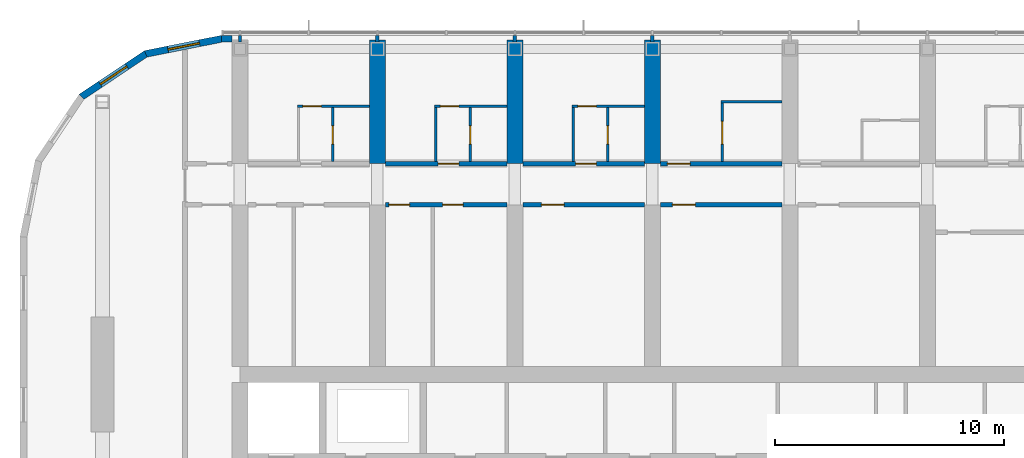
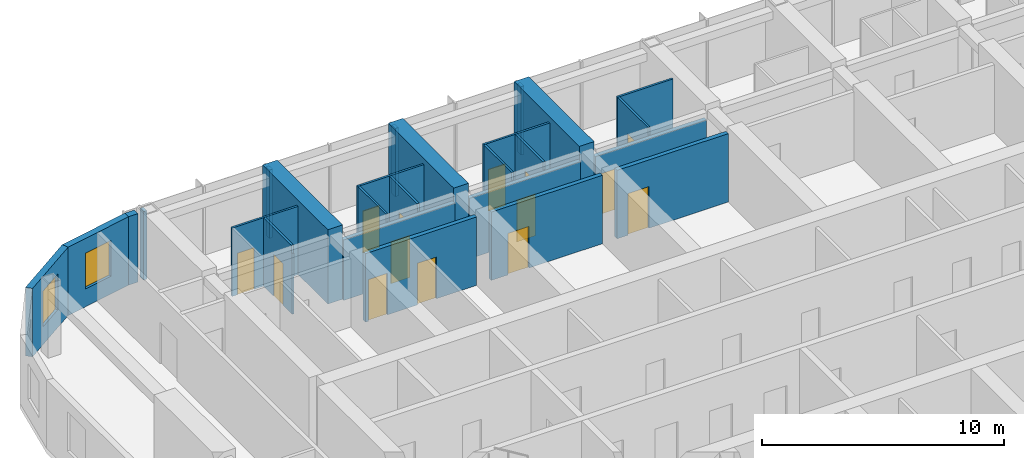
# One storey, part 16 of 23: 26 walls, 14 doors, 2 windows, 16 openings.
"""IFC4 building model written with IfcOpenShell, lengths in metres."""

from ifc_helpers import new_model, si_unit, direction, frame, frame_2d, origin, place, context, subcontext, project, spatial, polyline, rectangle, outline, extrude, material, layer, layer_set, type_object, element, fill, save


model = new_model("IFC4")

# Units and contexts
model_context = context("Model", 3, precision=1e-05, world=origin(), true_north=direction((0.0, 1.0)))
body_context = subcontext(model_context, "Body", "Model", "MODEL_VIEW")
ifc_project = project(units=[si_unit("LENGTHUNIT", "METRE"), si_unit("AREAUNIT", "SQUARE_METRE"), si_unit("VOLUMEUNIT", "CUBIC_METRE"), si_unit("PLANEANGLEUNIT", "RADIAN"), si_unit("MASSUNIT", "GRAM", prefix="KILO")], contexts=[model_context])

# Site, building, storey
site_placement = place(None, origin())
site = spatial("IfcSite", under=ifc_project, at=site_placement, CompositionType="ELEMENT")
building_placement = place(site_placement, origin())
building = spatial("IfcBuilding", under=site, at=building_placement, Name="Orbita Commons", CompositionType="ELEMENT")
storey_placement = place(building_placement, frame((0.0, 0.0, 254.050048828125)))
storey = spatial("IfcBuildingStorey", under=building, at=storey_placement, Name="L63", CompositionType="ELEMENT", Elevation=254.050048828125)

# Wall, opening, door
ifc_material_1 = material(Name="Concrete blockwork", Category="masonry")
ifc_layer_1 = layer(ifc_material_1, 0.199951171875)
ifc_layer_set_1 = layer_set([ifc_layer_1], Name="Concrete blockwork")
wall_type_1 = type_object("IfcWallType", Name="Corridor wall 200 blockwork", PredefinedType="SOLIDWALL", material=ifc_layer_set_1)
wall_1_placement = place(storey_placement, frame((24.35009765625, 47.39990234375, 0.0), z_axis=(0.0, 0.0, 1.0), x_axis=(1.0, 0.0, 0.0)))
wall_1 = element("IfcWall", 1, at=wall_1_placement, inside=storey, type_object=wall_type_1, Name="Corridor wall 200 blockwork L63", PredefinedType="SOLIDWALL", context=body_context, shape_type="SweptSolid", body=[
    extrude(outline(polyline([(0.0, 0.0), (5.2998046875, 0.0), (5.300048828125, 3.050048828125), (0.0, 3.050048828125), (0.0, 0.0)])), frame((0.0, 0.10009765625, 0.0), z_axis=(0.0, -1.0, 0.0), x_axis=(1.0, 0.0, 0.0)), (0.0, 0.0, 1.0), 0.199951171875),
])
opening_1_placement = place(wall_1_placement, frame((2.300048828125, 0.0, 0.0)))
opening_1 = element("IfcOpeningElement", 2, at=opening_1_placement, cuts=wall_1, Name="Opening D11", PredefinedType="OPENING", context=body_context, shape_type="SweptSolid", body=[
    extrude(rectangle(XDim=0.89990234375, YDim=2.10009765625, at=frame_2d((0.449951171875, 1.050048828125))), frame((0.0, 0.10986328125, 0.0), z_axis=(0.0, -1.0, 0.0), x_axis=(1.0, 0.0, 0.0)), (0.0, 0.0, 1.0), 0.219970703125),
])
ifc_material_2 = material(Name="Steel-faced fire door leaf", Category="steel")
door_type_1 = type_object("IfcDoorType", Name="Corridor door 20 min 900x2100", OperationType="SINGLE_SWING_LEFT", PredefinedType="DOOR", material=ifc_material_2)
door_1_placement = place(opening_1_placement, origin())
door_1 = element("IfcDoor", 3, at=door_1_placement, inside=storey, type_object=door_type_1, Name="Studio flat L63-N02 entrance door", OperationType="SINGLE_SWING_LEFT", OverallHeight=2.10009765625, OverallWidth=0.89990234375, PredefinedType="DOOR", context=body_context, shape_type="SweptSolid", body=[
    extrude(rectangle(XDim=0.89990234375, YDim=2.10009765625, at=frame_2d((0.449951171875, 1.050048828125))), frame((0.0, 0.02490234375, 0.0), z_axis=(0.0, -1.0, 0.0), x_axis=(1.0, 0.0, 0.0)), (0.0, 0.0, 1.0), 0.050048828125),
])
fill(opening_1, door_1)

wall_2_placement = place(storey_placement, frame((30.35009765625, 47.39990234375, 0.0), z_axis=(0.0, 0.0, 1.0), x_axis=(1.0, 0.0, 0.0)))
wall_2 = element("IfcWall", 4, at=wall_2_placement, inside=storey, type_object=wall_type_1, Name="Corridor wall 200 blockwork L63", PredefinedType="SOLIDWALL", context=body_context, shape_type="SweptSolid", body=[
    extrude(outline(polyline([(0.0, 0.0), (5.2998046875, 0.0), (5.300048828125, 3.050048828125), (0.0, 3.050048828125), (0.0, 0.0)])), frame((0.0, 0.10009765625, 0.0), z_axis=(0.0, -1.0, 0.0), x_axis=(1.0, 0.0, 0.0)), (0.0, 0.0, 1.0), 0.199951171875),
])
opening_2_placement = place(wall_2_placement, frame((2.300048828125, 0.0, 0.0)))
opening_2 = element("IfcOpeningElement", 5, at=opening_2_placement, cuts=wall_2, Name="Opening D11", PredefinedType="OPENING", context=body_context, shape_type="SweptSolid", body=[
    extrude(rectangle(XDim=0.89990234375, YDim=2.10009765625, at=frame_2d((0.449951171875, 1.050048828125))), frame((0.0, 0.10986328125, 0.0), z_axis=(0.0, -1.0, 0.0), x_axis=(1.0, 0.0, 0.0)), (0.0, 0.0, 1.0), 0.219970703125),
])
door_2_placement = place(opening_2_placement, origin())
door_2 = element("IfcDoor", 6, at=door_2_placement, inside=storey, type_object=door_type_1, Name="Studio flat L63-N04 entrance door", OperationType="SINGLE_SWING_LEFT", OverallHeight=2.10009765625, OverallWidth=0.89990234375, PredefinedType="DOOR", context=body_context, shape_type="SweptSolid", body=[
    extrude(rectangle(XDim=0.89990234375, YDim=2.10009765625, at=frame_2d((0.449951171875, 1.050048828125))), frame((0.0, 0.02490234375, 0.0), z_axis=(0.0, -1.0, 0.0), x_axis=(1.0, 0.0, 0.0)), (0.0, 0.0, 1.0), 0.050048828125),
])
fill(opening_2, door_2)

wall_3_placement = place(storey_placement, frame((36.35009765625, 47.39990234375, 0.0), z_axis=(0.0, 0.0, 1.0), x_axis=(1.0, 0.0, 0.0)))
wall_3 = element("IfcWall", 7, at=wall_3_placement, inside=storey, type_object=wall_type_1, Name="Corridor wall 200 blockwork L63", PredefinedType="SOLIDWALL", context=body_context, shape_type="SweptSolid", body=[
    extrude(outline(polyline([(0.0, 0.0), (5.2998046875, 0.0), (5.300048828125, 3.050048828125), (0.0, 3.050048828125), (0.0, 0.0)])), frame((0.0, 0.10009765625, 0.0), z_axis=(0.0, -1.0, 0.0), x_axis=(1.0, 0.0, 0.0)), (0.0, 0.0, 1.0), 0.199951171875),
])
opening_3_placement = place(wall_3_placement, frame((0.300048828125, 0.0, 0.0)))
opening_3 = element("IfcOpeningElement", 8, at=opening_3_placement, cuts=wall_3, Name="Opening D06", PredefinedType="OPENING", context=body_context, shape_type="SweptSolid", body=[
    extrude(rectangle(XDim=1.0, YDim=2.10009765625, at=frame_2d((0.5, 1.050048828125))), frame((0.0, 0.10986328125, 0.0), z_axis=(0.0, -1.0, 0.0), x_axis=(1.0, 0.0, 0.0)), (0.0, 0.0, 1.0), 0.219970703125),
])
ifc_material_3 = material(Name="Steel-faced fire door leaf", Category="steel")
door_type_2 = type_object("IfcDoorType", Name="Corridor door 20 min 1000x2100", OperationType="SINGLE_SWING_LEFT", PredefinedType="DOOR", material=ifc_material_3)
door_3_placement = place(opening_3_placement, origin())
door_3 = element("IfcDoor", 9, at=door_3_placement, inside=storey, type_object=door_type_2, Name="Accessible bedroom L63-N06 door", OperationType="SINGLE_SWING_LEFT", OverallHeight=2.10009765625, OverallWidth=1.0, PredefinedType="DOOR", context=body_context, shape_type="SweptSolid", body=[
    extrude(rectangle(XDim=1.0, YDim=2.10009765625, at=frame_2d((0.5, 1.050048828125))), frame((0.0, 0.02490234375, 0.0), z_axis=(0.0, -1.0, 0.0), x_axis=(1.0, 0.0, 0.0)), (0.0, 0.0, 1.0), 0.050048828125),
])
fill(opening_3, door_3)

# Wall, openings, doors
ifc_material_4 = material(Name="Hollow concrete block 200", Category="concrete")
ifc_layer_2 = layer(ifc_material_4, 0.199951171875)
ifc_layer_set_2 = layer_set([ifc_layer_2], Name="Hollow concrete block 200")
wall_type_2 = type_object("IfcWallType", Name="Corridor wall 200 hollow concrete block", PredefinedType="SOLIDWALL", material=ifc_layer_set_2)
wall_4_placement = place(storey_placement, frame((24.35009765625, 45.60009765625, 0.0), z_axis=(0.0, 0.0, 1.0), x_axis=(1.0, 0.0, 0.0)))
wall_4 = element("IfcWall", 10, at=wall_4_placement, inside=storey, type_object=wall_type_2, Name="Corridor wall 200 hollow concrete block L63", PredefinedType="SOLIDWALL", context=body_context, shape_type="SweptSolid", body=[
    extrude(rectangle(XDim=5.2998046875, YDim=0.199951171875, at=frame_2d((2.64990234375, 0.0))), origin(), (0.0, 0.0, 1.0), 3.449951171875),
])
opening_4_placement = place(wall_4_placement, frame((0.14990234375, 0.0, 0.0)))
opening_4 = element("IfcOpeningElement", 11, at=opening_4_placement, cuts=wall_4, Name="Opening D11", PredefinedType="OPENING", context=body_context, shape_type="SweptSolid", body=[
    extrude(rectangle(XDim=0.89990234375, YDim=2.10009765625, at=frame_2d((0.449951171875, 1.050048828125))), frame((0.0, 0.10986328125, 0.0), z_axis=(0.0, -1.0, 0.0), x_axis=(1.0, 0.0, 0.0)), (0.0, 0.0, 1.0), 0.219970703125),
])
opening_5_placement = place(wall_4_placement, frame((2.489990234375, 0.0, 0.0)))
opening_5 = element("IfcOpeningElement", 12, at=opening_5_placement, cuts=wall_4, Name="Opening D11", PredefinedType="OPENING", context=body_context, shape_type="SweptSolid", body=[
    extrude(rectangle(XDim=0.89990234375, YDim=2.10009765625, at=frame_2d((0.449951171875, 1.050048828125))), frame((0.0, 0.10986328125, 0.0), z_axis=(0.0, -1.0, 0.0), x_axis=(1.0, 0.0, 0.0)), (0.0, 0.0, 1.0), 0.219970703125),
])
door_4_placement = place(opening_4_placement, origin())
door_4 = element("IfcDoor", 13, at=door_4_placement, inside=storey, type_object=door_type_1, Name="Battery and UPS room L63-BDN24n door", OperationType="SINGLE_SWING_LEFT", OverallHeight=2.10009765625, OverallWidth=0.89990234375, PredefinedType="DOOR", context=body_context, shape_type="SweptSolid", body=[
    extrude(rectangle(XDim=0.89990234375, YDim=2.10009765625, at=frame_2d((0.449951171875, 1.050048828125))), frame((0.0, 0.02490234375, 0.0), z_axis=(0.0, -1.0, 0.0), x_axis=(1.0, 0.0, 0.0)), (0.0, 0.0, 1.0), 0.050048828125),
])
fill(opening_4, door_4)
door_5_placement = place(opening_5_placement, origin())
door_5 = element("IfcDoor", 14, at=door_5_placement, inside=storey, type_object=door_type_1, Name="Cleaners store L63-BDN24 door", OperationType="SINGLE_SWING_LEFT", OverallHeight=2.10009765625, OverallWidth=0.89990234375, PredefinedType="DOOR", context=body_context, shape_type="SweptSolid", body=[
    extrude(rectangle(XDim=0.89990234375, YDim=2.10009765625, at=frame_2d((0.449951171875, 1.050048828125))), frame((0.0, 0.02490234375, 0.0), z_axis=(0.0, -1.0, 0.0), x_axis=(1.0, 0.0, 0.0)), (0.0, 0.0, 1.0), 0.050048828125),
])
fill(opening_5, door_5)

# Wall, opening, door
wall_5_placement = place(storey_placement, frame((30.35009765625, 45.60009765625, 0.0), z_axis=(0.0, 0.0, 1.0), x_axis=(1.0, 0.0, 0.0)))
wall_5 = element("IfcWall", 15, at=wall_5_placement, inside=storey, type_object=wall_type_2, Name="Corridor wall 200 hollow concrete block L63", PredefinedType="SOLIDWALL", context=body_context, shape_type="SweptSolid", body=[
    extrude(rectangle(XDim=5.2998046875, YDim=0.199951171875, at=frame_2d((2.64990234375, 0.0))), origin(), (0.0, 0.0, 1.0), 3.449951171875),
])
opening_6_placement = place(wall_5_placement, frame((0.800048828125, 0.0, 0.0)))
opening_6 = element("IfcOpeningElement", 16, at=opening_6_placement, cuts=wall_5, Name="Opening D06", PredefinedType="OPENING", context=body_context, shape_type="SweptSolid", body=[
    extrude(rectangle(XDim=1.0, YDim=2.10009765625, at=frame_2d((0.5, 1.050048828125))), frame((0.0, 0.10986328125, 0.0), z_axis=(0.0, -1.0, 0.0), x_axis=(1.0, 0.0, 0.0)), (0.0, 0.0, 1.0), 0.219970703125),
])
door_6_placement = place(opening_6_placement, origin())
door_6 = element("IfcDoor", 17, at=door_6_placement, inside=storey, type_object=door_type_2, Name="Linen store L63-BDN30 door", OperationType="SINGLE_SWING_LEFT", OverallHeight=2.10009765625, OverallWidth=1.0, PredefinedType="DOOR", context=body_context, shape_type="SweptSolid", body=[
    extrude(rectangle(XDim=1.0, YDim=2.10009765625, at=frame_2d((0.5, 1.050048828125))), frame((0.0, 0.02490234375, 0.0), z_axis=(0.0, -1.0, 0.0), x_axis=(1.0, 0.0, 0.0)), (0.0, 0.0, 1.0), 0.050048828125),
])
fill(opening_6, door_6)

wall_6_placement = place(storey_placement, frame((36.35009765625, 45.60009765625, 0.0), z_axis=(0.0, 0.0, 1.0), x_axis=(1.0, 0.0, 0.0)))
wall_6 = element("IfcWall", 18, at=wall_6_placement, inside=storey, type_object=wall_type_2, Name="Corridor wall 200 hollow concrete block L63", PredefinedType="SOLIDWALL", context=body_context, shape_type="SweptSolid", body=[
    extrude(rectangle(XDim=5.2998046875, YDim=0.199951171875, at=frame_2d((2.64990234375, 0.0))), origin(), (0.0, 0.0, 1.0), 3.449951171875),
])
opening_7_placement = place(wall_6_placement, frame((0.52490234375, 0.0, 0.0)))
opening_7 = element("IfcOpeningElement", 19, at=opening_7_placement, cuts=wall_6, Name="Opening D06", PredefinedType="OPENING", context=body_context, shape_type="SweptSolid", body=[
    extrude(rectangle(XDim=1.0, YDim=2.10009765625, at=frame_2d((0.5, 1.050048828125))), frame((0.0, 0.10986328125, 0.0), z_axis=(0.0, -1.0, 0.0), x_axis=(1.0, 0.0, 0.0)), (0.0, 0.0, 1.0), 0.219970703125),
])
door_7_placement = place(opening_7_placement, origin())
door_7 = element("IfcDoor", 20, at=door_7_placement, inside=storey, type_object=door_type_2, Name="Print and copy room L63-BDN36 door", OperationType="SINGLE_SWING_LEFT", OverallHeight=2.10009765625, OverallWidth=1.0, PredefinedType="DOOR", context=body_context, shape_type="SweptSolid", body=[
    extrude(rectangle(XDim=1.0, YDim=2.10009765625, at=frame_2d((0.5, 1.050048828125))), frame((0.0, 0.02490234375, 0.0), z_axis=(0.0, -1.0, 0.0), x_axis=(1.0, 0.0, 0.0)), (0.0, 0.0, 1.0), 0.050048828125),
])
fill(opening_7, door_7)

# Walls
ifc_material_5 = material(Name="Concrete C50/60", Category="concrete")
ifc_layer_3 = layer(ifc_material_5, 0.699951171875)
ifc_layer_set_3 = layer_set([ifc_layer_3], Name="Concrete C50/60")
wall_type_3 = type_object("IfcWallType", Name="Cross wall 700 C50/60", PredefinedType="SHEAR", material=ifc_layer_set_3)
for number, where, z_axis, x_axis, name in (
    (21, (24.0, 47.39990234375, 0.0), (0.0, 0.0, 1.0), (0.0, 1.0, 0.0), "Cross wall 5 north outer L63"),
    (22, (30.0, 47.39990234375, 0.0), (0.0, 0.0, 1.0), (0.0, 1.0, 0.0), "Cross wall 6 north outer L63"),
    (23, (36.0, 47.39990234375, 0.0), (0.0, 0.0, 1.0), (0.0, 1.0, 0.0), "Cross wall 7 north outer L63"),
):
    element("IfcWall", number, at=place(storey_placement, frame(where, z_axis=z_axis, x_axis=x_axis)), inside=storey, type_object=wall_type_3, Name=name, PredefinedType="SHEAR", context=body_context, shape_type="SweptSolid", body=[
        extrude(rectangle(XDim=5.400146484375, YDim=0.699951171875, at=frame_2d((2.7001953125, 0.0))), origin(), (0.0, 0.0, 1.0), 3.75),
    ])

# Wall, opening, door
ifc_material_6 = material(Name="Moisture-resistant plasterboard on steel studs", Category="steel")
ifc_layer_4 = layer(ifc_material_6, 0.10009765625)
ifc_layer_set_4 = layer_set([ifc_layer_4], Name="Moisture-resistant plasterboard on steel studs")
wall_type_4 = type_object("IfcWallType", Name="En-suite partition 100", PredefinedType="PARTITIONING", material=ifc_layer_set_4)
wall_7_placement = place(storey_placement, frame((20.5, 49.89990234375, 0.0), z_axis=(0.0, 0.0, 1.0), x_axis=(1.0, 0.0, 0.0)))
wall_7 = element("IfcWall", 24, at=wall_7_placement, inside=storey, type_object=wall_type_4, Name="En-suite partition 100 L63", PredefinedType="PARTITIONING", context=body_context, shape_type="SweptSolid", body=[
    extrude(rectangle(XDim=3.14990234375, YDim=0.10009765625, at=frame_2d((1.574951171875, 0.0))), origin(), (0.0, 0.0, 1.0), 3.449951171875),
])
opening_8_placement = place(wall_7_placement, frame((0.25, 0.0, 0.0)))
opening_8 = element("IfcOpeningElement", 25, at=opening_8_placement, cuts=wall_7, Name="Opening D16", PredefinedType="OPENING", context=body_context, shape_type="SweptSolid", body=[
    extrude(rectangle(XDim=0.800048828125, YDim=2.10009765625, at=frame_2d((0.39990234375, 1.050048828125))), frame((0.0, 0.06005859375, 0.0), z_axis=(0.0, -1.0, 0.0), x_axis=(1.0, 0.0, 0.0)), (0.0, 0.0, 1.0), 0.1201171875),
])
ifc_material_7 = material(Name="Laminated timber door leaf", Category="wood")
door_type_3 = type_object("IfcDoorType", Name="En-suite door 800x2100", OperationType="SINGLE_SWING_RIGHT", PredefinedType="DOOR", material=ifc_material_7)
door_8_placement = place(opening_8_placement, origin())
door_8 = element("IfcDoor", 26, at=door_8_placement, inside=storey, type_object=door_type_3, Name="Studio flat L63-N00 door", OperationType="SINGLE_SWING_RIGHT", OverallHeight=2.10009765625, OverallWidth=0.800048828125, PredefinedType="DOOR", context=body_context, shape_type="SweptSolid", body=[
    extrude(rectangle(XDim=0.800048828125, YDim=2.10009765625, at=frame_2d((0.39990234375, 1.050048828125))), frame((0.0, 0.02490234375, 0.0), z_axis=(0.0, -1.0, 0.0), x_axis=(1.0, 0.0, 0.0)), (0.0, 0.0, 1.0), 0.050048828125),
])
fill(opening_8, door_8)

wall_8_placement = place(storey_placement, frame((22.050048828125, 49.85009765625, 0.0), z_axis=(0.0, 0.0, 1.0), x_axis=(0.0, -1.0, 0.0)))
wall_8 = element("IfcWall", 27, at=wall_8_placement, inside=storey, type_object=wall_type_4, Name="En-suite partition 100 L63", PredefinedType="PARTITIONING", context=body_context, shape_type="SweptSolid", body=[
    extrude(outline(polyline([(0.0, 0.0), (2.35009765625, 0.0), (2.35009765625, 3.050048828125), (2.302001953125, 3.050048828125), (2.300048828125, 3.449951171875), (0.0, 3.449951171875), (0.0, 0.0)])), frame((0.0, 0.050048828125, 0.0), z_axis=(0.0, -1.0, 0.0), x_axis=(1.0, 0.0, 0.0)), (0.0, 0.0, 1.0), 0.10009765625),
])
opening_9_placement = place(wall_8_placement, frame((0.800048828125, 0.0, 0.0)))
opening_9 = element("IfcOpeningElement", 28, at=opening_9_placement, cuts=wall_8, Name="Opening D16", PredefinedType="OPENING", context=body_context, shape_type="SweptSolid", body=[
    extrude(rectangle(XDim=0.800048828125, YDim=2.10009765625, at=frame_2d((0.39990234375, 1.050048828125))), frame((0.0, 0.06005859375, 0.0), z_axis=(0.0, -1.0, 0.0), x_axis=(1.0, 0.0, 0.0)), (0.0, 0.0, 1.0), 0.1201171875),
])
door_9_placement = place(opening_9_placement, origin())
door_9 = element("IfcDoor", 29, at=door_9_placement, inside=storey, type_object=door_type_3, Name="Studio flat shower room L63-N00 door", OperationType="SINGLE_SWING_RIGHT", OverallHeight=2.10009765625, OverallWidth=0.800048828125, PredefinedType="DOOR", context=body_context, shape_type="SweptSolid", body=[
    extrude(rectangle(XDim=0.800048828125, YDim=2.10009765625, at=frame_2d((0.39990234375, 1.050048828125))), frame((0.0, 0.02490234375, 0.0), z_axis=(0.0, -1.0, 0.0), x_axis=(1.0, 0.0, 0.0)), (0.0, 0.0, 1.0), 0.050048828125),
])
fill(opening_9, door_9)

wall_9_placement = place(storey_placement, frame((26.5, 49.89990234375, 0.0), z_axis=(0.0, 0.0, 1.0), x_axis=(1.0, 0.0, 0.0)))
wall_9 = element("IfcWall", 30, at=wall_9_placement, inside=storey, type_object=wall_type_4, Name="En-suite partition 100 L63", PredefinedType="PARTITIONING", context=body_context, shape_type="SweptSolid", body=[
    extrude(rectangle(XDim=3.14990234375, YDim=0.10009765625, at=frame_2d((1.574951171875, 0.0))), origin(), (0.0, 0.0, 1.0), 3.449951171875),
])
opening_10_placement = place(wall_9_placement, frame((0.25, 0.0, 0.0)))
opening_10 = element("IfcOpeningElement", 31, at=opening_10_placement, cuts=wall_9, Name="Opening D16", PredefinedType="OPENING", context=body_context, shape_type="SweptSolid", body=[
    extrude(rectangle(XDim=0.800048828125, YDim=2.10009765625, at=frame_2d((0.39990234375, 1.050048828125))), frame((0.0, 0.06005859375, 0.0), z_axis=(0.0, -1.0, 0.0), x_axis=(1.0, 0.0, 0.0)), (0.0, 0.0, 1.0), 0.1201171875),
])
door_10_placement = place(opening_10_placement, origin())
door_10 = element("IfcDoor", 32, at=door_10_placement, inside=storey, type_object=door_type_3, Name="Studio flat L63-N02 door", OperationType="SINGLE_SWING_RIGHT", OverallHeight=2.10009765625, OverallWidth=0.800048828125, PredefinedType="DOOR", context=body_context, shape_type="SweptSolid", body=[
    extrude(rectangle(XDim=0.800048828125, YDim=2.10009765625, at=frame_2d((0.39990234375, 1.050048828125))), frame((0.0, 0.02490234375, 0.0), z_axis=(0.0, -1.0, 0.0), x_axis=(1.0, 0.0, 0.0)), (0.0, 0.0, 1.0), 0.050048828125),
])
fill(opening_10, door_10)

# Wall
wall_10_placement = place(storey_placement, frame((26.550048828125, 49.85009765625, 0.0), z_axis=(0.0, 0.0, 1.0), x_axis=(0.0, -1.0, 0.0)))
element("IfcWall", 33, at=wall_10_placement, inside=storey, type_object=wall_type_4, Name="En-suite partition 100 L63", PredefinedType="PARTITIONING", context=body_context, shape_type="SweptSolid", body=[
    extrude(outline(polyline([(0.0, 0.0), (2.35009765625, 0.0), (2.35009765625, 3.050048828125), (2.302001953125, 3.050048828125), (2.300048828125, 3.449951171875), (0.0, 3.449951171875), (0.0, 0.0)])), frame((0.0, 0.050048828125, 0.0), z_axis=(0.0, -1.0, 0.0), x_axis=(1.0, 0.0, 0.0)), (0.0, 0.0, 1.0), 0.10009765625),
])

# Wall, opening, door
wall_11_placement = place(storey_placement, frame((28.050048828125, 49.85009765625, 0.0), z_axis=(0.0, 0.0, 1.0), x_axis=(0.0, -1.0, 0.0)))
wall_11 = element("IfcWall", 34, at=wall_11_placement, inside=storey, type_object=wall_type_4, Name="En-suite partition 100 L63", PredefinedType="PARTITIONING", context=body_context, shape_type="SweptSolid", body=[
    extrude(outline(polyline([(0.0, 0.0), (2.35009765625, 0.0), (2.35009765625, 3.050048828125), (2.302001953125, 3.050048828125), (2.300048828125, 3.449951171875), (0.0, 3.449951171875), (0.0, 0.0)])), frame((0.0, 0.050048828125, 0.0), z_axis=(0.0, -1.0, 0.0), x_axis=(1.0, 0.0, 0.0)), (0.0, 0.0, 1.0), 0.10009765625),
])
opening_11_placement = place(wall_11_placement, frame((0.800048828125, 0.0, 0.0)))
opening_11 = element("IfcOpeningElement", 35, at=opening_11_placement, cuts=wall_11, Name="Opening D16", PredefinedType="OPENING", context=body_context, shape_type="SweptSolid", body=[
    extrude(rectangle(XDim=0.800048828125, YDim=2.10009765625, at=frame_2d((0.39990234375, 1.050048828125))), frame((0.0, 0.06005859375, 0.0), z_axis=(0.0, -1.0, 0.0), x_axis=(1.0, 0.0, 0.0)), (0.0, 0.0, 1.0), 0.1201171875),
])
door_11_placement = place(opening_11_placement, origin())
door_11 = element("IfcDoor", 36, at=door_11_placement, inside=storey, type_object=door_type_3, Name="Studio flat shower room L63-N02 door", OperationType="SINGLE_SWING_RIGHT", OverallHeight=2.10009765625, OverallWidth=0.800048828125, PredefinedType="DOOR", context=body_context, shape_type="SweptSolid", body=[
    extrude(rectangle(XDim=0.800048828125, YDim=2.10009765625, at=frame_2d((0.39990234375, 1.050048828125))), frame((0.0, 0.02490234375, 0.0), z_axis=(0.0, -1.0, 0.0), x_axis=(1.0, 0.0, 0.0)), (0.0, 0.0, 1.0), 0.050048828125),
])
fill(opening_11, door_11)

wall_12_placement = place(storey_placement, frame((32.5, 49.89990234375, 0.0), z_axis=(0.0, 0.0, 1.0), x_axis=(1.0, 0.0, 0.0)))
wall_12 = element("IfcWall", 37, at=wall_12_placement, inside=storey, type_object=wall_type_4, Name="En-suite partition 100 L63", PredefinedType="PARTITIONING", context=body_context, shape_type="SweptSolid", body=[
    extrude(rectangle(XDim=3.14990234375, YDim=0.10009765625, at=frame_2d((1.574951171875, 0.0))), origin(), (0.0, 0.0, 1.0), 3.449951171875),
])
opening_12_placement = place(wall_12_placement, frame((0.25, 0.0, 0.0)))
opening_12 = element("IfcOpeningElement", 38, at=opening_12_placement, cuts=wall_12, Name="Opening D16", PredefinedType="OPENING", context=body_context, shape_type="SweptSolid", body=[
    extrude(rectangle(XDim=0.800048828125, YDim=2.10009765625, at=frame_2d((0.39990234375, 1.050048828125))), frame((0.0, 0.06005859375, 0.0), z_axis=(0.0, -1.0, 0.0), x_axis=(1.0, 0.0, 0.0)), (0.0, 0.0, 1.0), 0.1201171875),
])
door_12_placement = place(opening_12_placement, origin())
door_12 = element("IfcDoor", 39, at=door_12_placement, inside=storey, type_object=door_type_3, Name="Studio flat L63-N04 door", OperationType="SINGLE_SWING_RIGHT", OverallHeight=2.10009765625, OverallWidth=0.800048828125, PredefinedType="DOOR", context=body_context, shape_type="SweptSolid", body=[
    extrude(rectangle(XDim=0.800048828125, YDim=2.10009765625, at=frame_2d((0.39990234375, 1.050048828125))), frame((0.0, 0.02490234375, 0.0), z_axis=(0.0, -1.0, 0.0), x_axis=(1.0, 0.0, 0.0)), (0.0, 0.0, 1.0), 0.050048828125),
])
fill(opening_12, door_12)

# Wall
wall_13_placement = place(storey_placement, frame((32.550048828125, 49.85009765625, 0.0), z_axis=(0.0, 0.0, 1.0), x_axis=(0.0, -1.0, 0.0)))
element("IfcWall", 40, at=wall_13_placement, inside=storey, type_object=wall_type_4, Name="En-suite partition 100 L63", PredefinedType="PARTITIONING", context=body_context, shape_type="SweptSolid", body=[
    extrude(outline(polyline([(0.0, 0.0), (2.35009765625, 0.0), (2.35009765625, 3.050048828125), (2.302001953125, 3.050048828125), (2.300048828125, 3.449951171875), (0.0, 3.449951171875), (0.0, 0.0)])), frame((0.0, 0.050048828125, 0.0), z_axis=(0.0, -1.0, 0.0), x_axis=(1.0, 0.0, 0.0)), (0.0, 0.0, 1.0), 0.10009765625),
])

# Wall, opening, door
wall_14_placement = place(storey_placement, frame((34.050048828125, 49.85009765625, 0.0), z_axis=(0.0, 0.0, 1.0), x_axis=(0.0, -1.0, 0.0)))
wall_14 = element("IfcWall", 41, at=wall_14_placement, inside=storey, type_object=wall_type_4, Name="En-suite partition 100 L63", PredefinedType="PARTITIONING", context=body_context, shape_type="SweptSolid", body=[
    extrude(outline(polyline([(0.0, 0.0), (2.35009765625, 0.0), (2.35009765625, 3.050048828125), (2.302001953125, 3.050048828125), (2.300048828125, 3.449951171875), (0.0, 3.449951171875), (0.0, 0.0)])), frame((0.0, 0.050048828125, 0.0), z_axis=(0.0, -1.0, 0.0), x_axis=(1.0, 0.0, 0.0)), (0.0, 0.0, 1.0), 0.10009765625),
])
opening_13_placement = place(wall_14_placement, frame((0.800048828125, 0.0, 0.0)))
opening_13 = element("IfcOpeningElement", 42, at=opening_13_placement, cuts=wall_14, Name="Opening D16", PredefinedType="OPENING", context=body_context, shape_type="SweptSolid", body=[
    extrude(rectangle(XDim=0.800048828125, YDim=2.10009765625, at=frame_2d((0.39990234375, 1.050048828125))), frame((0.0, 0.06005859375, 0.0), z_axis=(0.0, -1.0, 0.0), x_axis=(1.0, 0.0, 0.0)), (0.0, 0.0, 1.0), 0.1201171875),
])
door_13_placement = place(opening_13_placement, origin())
door_13 = element("IfcDoor", 43, at=door_13_placement, inside=storey, type_object=door_type_3, Name="Studio flat shower room L63-N04 door", OperationType="SINGLE_SWING_RIGHT", OverallHeight=2.10009765625, OverallWidth=0.800048828125, PredefinedType="DOOR", context=body_context, shape_type="SweptSolid", body=[
    extrude(rectangle(XDim=0.800048828125, YDim=2.10009765625, at=frame_2d((0.39990234375, 1.050048828125))), frame((0.0, 0.02490234375, 0.0), z_axis=(0.0, -1.0, 0.0), x_axis=(1.0, 0.0, 0.0)), (0.0, 0.0, 1.0), 0.050048828125),
])
fill(opening_13, door_13)

# Wall
wall_15_placement = place(storey_placement, frame((39.0, 50.10009765625, 0.0), z_axis=(0.0, 0.0, 1.0), x_axis=(1.0, 0.0, 0.0)))
element("IfcWall", 44, at=wall_15_placement, inside=storey, type_object=wall_type_4, Name="En-suite partition 100 L63", PredefinedType="PARTITIONING", context=body_context, shape_type="SweptSolid", body=[
    extrude(rectangle(XDim=2.64990234375, YDim=0.10009765625, at=frame_2d((1.324951171875, 0.0))), origin(), (0.0, 0.0, 1.0), 3.449951171875),
])

# Wall, opening, door
wall_16_placement = place(storey_placement, frame((39.050048828125, 50.050048828125, 0.0), z_axis=(0.0, 0.0, 1.0), x_axis=(0.0, -1.0, 0.0)))
wall_16 = element("IfcWall", 45, at=wall_16_placement, inside=storey, type_object=wall_type_4, Name="En-suite partition 100 L63", PredefinedType="PARTITIONING", context=body_context, shape_type="SweptSolid", body=[
    extrude(outline(polyline([(0.0, 0.0), (2.550048828125, 0.0), (2.550048828125, 3.050048828125), (2.501953125, 3.050048828125), (2.5, 3.449951171875), (0.0, 3.449951171875), (0.0, 0.0)])), frame((0.0, 0.050048828125, 0.0), z_axis=(0.0, -1.0, 0.0), x_axis=(1.0, 0.0, 0.0)), (0.0, 0.0, 1.0), 0.10009765625),
])
opening_14_placement = place(wall_16_placement, frame((0.800048828125, 0.0, 0.0)))
opening_14 = element("IfcOpeningElement", 46, at=opening_14_placement, cuts=wall_16, Name="Opening D13", PredefinedType="OPENING", context=body_context, shape_type="SweptSolid", body=[
    extrude(rectangle(XDim=1.0, YDim=2.10009765625, at=frame_2d((0.5, 1.050048828125))), frame((0.0, 0.06005859375, 0.0), z_axis=(0.0, -1.0, 0.0), x_axis=(1.0, 0.0, 0.0)), (0.0, 0.0, 1.0), 0.1201171875),
])
ifc_material_8 = material(Name="Laminated timber door leaf", Category="wood")
door_type_4 = type_object("IfcDoorType", Name="En-suite door 1000x2100", OperationType="SINGLE_SWING_RIGHT", PredefinedType="DOOR", material=ifc_material_8)
door_14_placement = place(opening_14_placement, origin())
door_14 = element("IfcDoor", 47, at=door_14_placement, inside=storey, type_object=door_type_4, Name="Accessible shower room L63-N06 door", OperationType="SINGLE_SWING_RIGHT", OverallHeight=2.10009765625, OverallWidth=1.0, PredefinedType="DOOR", context=body_context, shape_type="SweptSolid", body=[
    extrude(rectangle(XDim=1.0, YDim=2.10009765625, at=frame_2d((0.5, 1.050048828125))), frame((0.0, 0.02490234375, 0.0), z_axis=(0.0, -1.0, 0.0), x_axis=(1.0, 0.0, 0.0)), (0.0, 0.0, 1.0), 0.050048828125),
])
fill(opening_14, door_14)

# Walls
ifc_material_9 = material(Name="Gypsum plasterboard on steel studs", Category="steel")
ifc_layer_5 = layer(ifc_material_9, 0.14990234375)
ifc_layer_set_5 = layer_set([ifc_layer_5], Name="Gypsum plasterboard on steel studs")
wall_type_5 = type_object("IfcWallType", Name="Partition 150 plasterboard", PredefinedType="PARTITIONING", material=ifc_layer_set_5)
for number, where, z_axis, x_axis, name in (
    (48, (18.0, 52.699951171875, 0.0), (0.0, 0.0, 1.0), (0.0, 1.0, 0.0), "Partition 150 plasterboard L63"),
    (49, (24.0, 52.699951171875, 0.0), (0.0, 0.0, 1.0), (0.0, 1.0, 0.0), "Partition 150 plasterboard L63"),
    (50, (30.0, 52.699951171875, 0.0), (0.0, 0.0, 1.0), (0.0, 1.0, 0.0), "Partition 150 plasterboard L63"),
    (51, (36.0, 52.699951171875, 0.0), (0.0, 0.0, 1.0), (0.0, 1.0, 0.0), "Partition 150 plasterboard L63"),
):
    element("IfcWall", number, at=place(storey_placement, frame(where, z_axis=z_axis, x_axis=x_axis)), inside=storey, type_object=wall_type_5, Name=name, PredefinedType="PARTITIONING", context=body_context, shape_type="SweptSolid", body=[
        extrude(rectangle(XDim=0.2900390625, YDim=0.14990234375, at=frame_2d((0.14501953125, 0.0))), origin(), (0.0, 0.0, 1.0), 3.449951171875),
    ])

# Wall, opening, window
ifc_material_10 = material(Name="Precast concrete C40/50, white board-marked finish", Category="concrete")
ifc_layer_6 = layer(ifc_material_10, 0.300048828125)
ifc_layer_set_6 = layer_set([ifc_layer_6], Name="Precast concrete C40/50, white board-marked finish")
wall_type_6 = type_object("IfcWallType", Name="Precast concrete end shield 300", PredefinedType="SOLIDWALL", material=ifc_layer_set_6)
wall_17_placement = place(storey_placement, frame((17.199951171875, 52.85009765625, 0.0), z_axis=(0.0, 0.0, 1.0), x_axis=(-0.98078325777, -0.195100490205, 0.0)))
wall_17 = element("IfcWall", 52, at=wall_17_placement, inside=storey, type_object=wall_type_6, Name="End shield NW chord 1 L63", PredefinedType="SOLIDWALL", context=body_context, shape_type="SweptSolid", body=[
    extrude(outline(polyline([(-0.02978515625, -0.14990234375), (3.40478515625, -0.14990234375), (3.34521484375, 0.14990234375), (0.02978515625, 0.14990234375), (-0.02978515625, -0.14990234375)])), origin(), (0.0, 0.0, 1.0), 3.449951171875),
])
opening_15_placement = place(wall_17_placement, frame((0.987548828125, 0.0, 0.89990234375)))
opening_15 = element("IfcOpeningElement", 53, at=opening_15_placement, cuts=wall_17, Name="Opening W02", PredefinedType="OPENING", context=body_context, shape_type="SweptSolid", body=[
    extrude(rectangle(XDim=1.39990234375, YDim=1.800048828125, at=frame_2d((0.699951171875, 0.89990234375))), frame((0.0, 0.159912109375, 0.0), z_axis=(0.0, -1.0, 0.0), x_axis=(1.0, 0.0, 0.0)), (0.0, 0.0, 1.0), 0.320068359375),
])
ifc_material_11 = material(Name="Aluminium frame, clear double glazing", Category="aluminium")
window_type = type_object("IfcWindowType", Name="Deep-set window 1400x1800", PartitioningType="SINGLE_PANEL", PredefinedType="WINDOW", material=ifc_material_11)
window_1_placement = place(opening_15_placement, origin())
window_1 = element("IfcWindow", 54, at=window_1_placement, inside=storey, type_object=window_type, Name="Window L63-NW0", OverallHeight=1.800048828125, OverallWidth=1.39990234375, PartitioningType="SINGLE_PANEL", PredefinedType="WINDOW", context=body_context, shape_type="SweptSolid", body=[
    extrude(rectangle(XDim=1.39990234375, YDim=1.800048828125, at=frame_2d((0.699951171875, 0.89990234375))), frame((0.0, 0.030029296875, 0.0), z_axis=(0.0, -1.0, 0.0), x_axis=(1.0, 0.0, 0.0)), (0.0, 0.0, 1.0), 0.06005859375),
])
fill(opening_15, window_1)

wall_18_placement = place(storey_placement, frame((13.889892578125, 52.191650390625, 0.0), z_axis=(0.0, 0.0, 1.0), x_axis=(-0.831460037396, -0.555584562613, 0.0)))
wall_18 = element("IfcWall", 55, at=wall_18_placement, inside=storey, type_object=wall_type_6, Name="End shield NW chord 2 L63", PredefinedType="SOLIDWALL", context=body_context, shape_type="SweptSolid", body=[
    extrude(outline(polyline([(-0.02978515625, -0.14990234375), (3.405029296875, -0.14990234375), (3.345458984375, 0.14990234375), (0.02978515625, 0.14990234375), (-0.02978515625, -0.14990234375)])), origin(), (0.0, 0.0, 1.0), 3.449951171875),
])
opening_16_placement = place(wall_18_placement, frame((0.987548828125, 0.0, 0.89990234375)))
opening_16 = element("IfcOpeningElement", 56, at=opening_16_placement, cuts=wall_18, Name="Opening W02", PredefinedType="OPENING", context=body_context, shape_type="SweptSolid", body=[
    extrude(rectangle(XDim=1.39990234375, YDim=1.800048828125, at=frame_2d((0.699951171875, 0.89990234375))), frame((0.0, 0.159912109375, 0.0), z_axis=(0.0, -1.0, 0.0), x_axis=(1.0, 0.0, 0.0)), (0.0, 0.0, 1.0), 0.320068359375),
])
window_2_placement = place(opening_16_placement, origin())
window_2 = element("IfcWindow", 57, at=window_2_placement, inside=storey, type_object=window_type, Name="Window L63-NW1", OverallHeight=1.800048828125, OverallWidth=1.39990234375, PartitioningType="SINGLE_PANEL", PredefinedType="WINDOW", context=body_context, shape_type="SweptSolid", body=[
    extrude(rectangle(XDim=1.39990234375, YDim=1.800048828125, at=frame_2d((0.699951171875, 0.89990234375))), frame((0.0, 0.030029296875, 0.0), z_axis=(0.0, -1.0, 0.0), x_axis=(1.0, 0.0, 0.0)), (0.0, 0.0, 1.0), 0.06005859375),
])
fill(opening_16, window_2)

# Wall
wall_19_placement = place(storey_placement, frame((17.199951171875, 52.85009765625, 0.0), z_axis=(0.0, 0.0, 1.0), x_axis=(1.0, 0.0, 0.0)))
element("IfcWall", 58, at=wall_19_placement, inside=storey, type_object=wall_type_6, Name="End shield NW closer L63", PredefinedType="SOLIDWALL", context=body_context, shape_type="SweptSolid", body=[
    extrude(rectangle(XDim=0.449951171875, YDim=0.300048828125, at=frame_2d((0.22509765625, 0.0))), origin(), (0.0, 0.0, 1.0), 3.449951171875),
])

save(model, "model.ifc")
